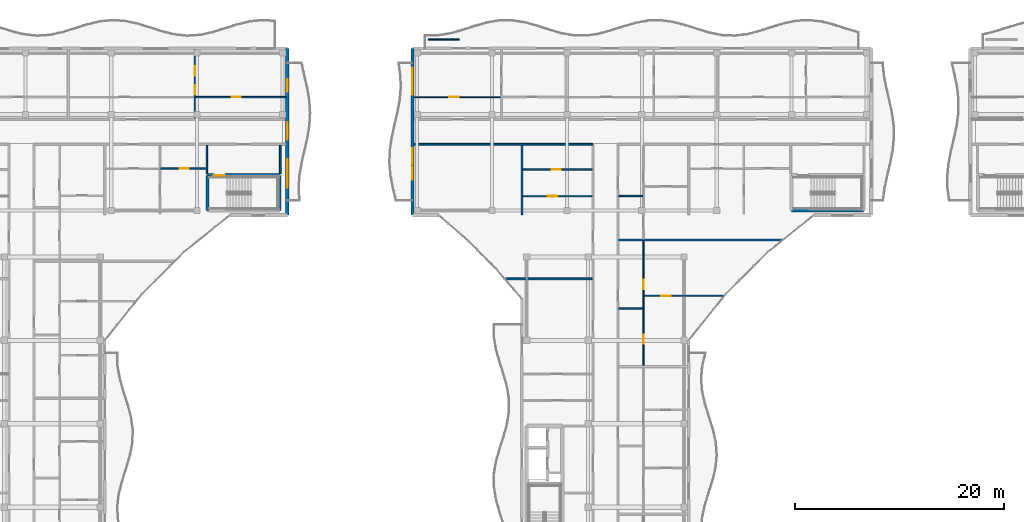
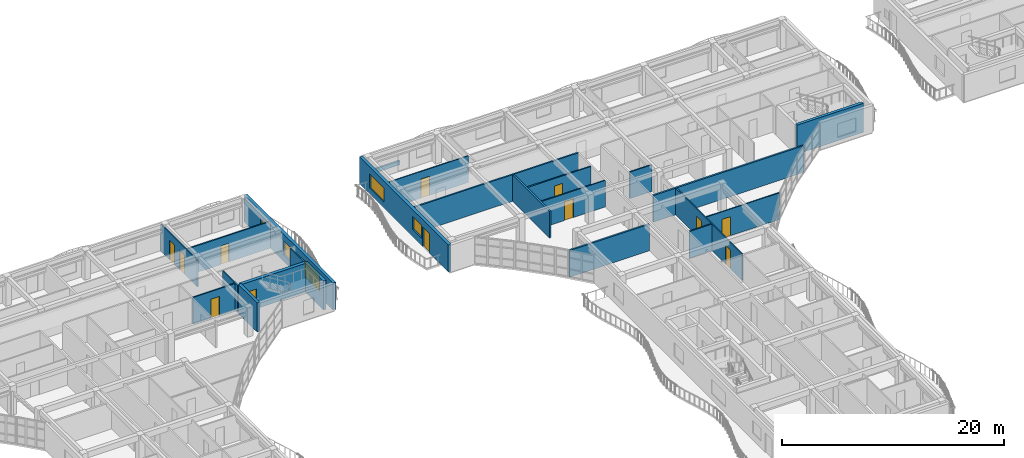
# One storey, part 39 of 72: 23 walls, 13 doors, 4 windows, 17 openings.
"""IFC4 building model written with IfcOpenShell, lengths in metres."""

from ifc_helpers import new_model, si_unit, direction, frame, frame_2d, origin, place, context, subcontext, project, spatial, rectangle, extrude, material, layer, layer_set, type_object, element, fill, save


model = new_model("IFC4")

# Units and contexts
model_context = context("Model", 3, precision=1e-05, world=origin(), true_north=direction((0.0, 1.0)))
body_context = subcontext(model_context, "Body", "Model", "MODEL_VIEW")
ifc_project = project(units=[si_unit("LENGTHUNIT", "METRE"), si_unit("AREAUNIT", "SQUARE_METRE"), si_unit("VOLUMEUNIT", "CUBIC_METRE"), si_unit("PLANEANGLEUNIT", "RADIAN"), si_unit("MASSUNIT", "GRAM", prefix="KILO")], contexts=[model_context])

# Site, building, storey
site_placement = place(None, origin())
site = spatial("IfcSite", under=ifc_project, at=site_placement, CompositionType="ELEMENT")
building_placement = place(site_placement, origin())
building = spatial("IfcBuilding", under=site, at=building_placement, Name="Keldmere Railside Commons", CompositionType="ELEMENT")
storey_placement = place(building_placement, frame((0.0, 0.0, 16.9599609375)))
storey = spatial("IfcBuildingStorey", under=building, at=storey_placement, Name="L05", CompositionType="ELEMENT", Elevation=16.9599609375)

# Walls
ifc_material_1 = material(Name="Acoustic Gypsum Board Partition", Category="gypsum")
ifc_layer_1 = layer(ifc_material_1, 0.179931640625, Name="Acoustic Demising Partition 180")
ifc_layer_set_1 = layer_set([ifc_layer_1], Name="Acoustic Gypsum Board Partition")
wall_type_1 = type_object("IfcWallType", Name="Acoustic Demising Partition 180", PredefinedType="PARTITIONING", material=ifc_layer_set_1)
wall_1_placement = place(storey_placement, frame((104.0, 100.050048828125, 0.0), z_axis=(0.0, 0.0, 1.0), x_axis=(0.0, 1.0, 0.0)))
element("IfcWall", 1, at=wall_1_placement, inside=storey, type_object=wall_type_1, Name="IW-1 IW-L05-1101", PredefinedType="PARTITIONING", context=body_context, shape_type="SweptSolid", body=[
    extrude(rectangle(XDim=6.669921875, YDim=0.179931640625, at=frame_2d((3.3349609375, 0.0))), origin(), (0.0, 0.0, 1.0), 2.93505859375),
])
wall_2_placement = place(storey_placement, frame((113.280029296875, 97.6201171875, 0.0), z_axis=(0.0, 0.0, 1.0), x_axis=(1.0, 0.0, 0.0)))
element("IfcWall", 2, at=wall_2_placement, inside=storey, type_object=wall_type_1, Name="IW-1 IW-L05-1106", PredefinedType="PARTITIONING", context=body_context, shape_type="SweptSolid", body=[
    extrude(rectangle(XDim=15.689453125, YDim=0.179931640625, at=frame_2d((7.8447265625, 0.0))), origin(), (0.0, 0.0, 1.0), 2.93505859375),
])
wall_3_placement = place(storey_placement, frame((102.410888671875, 93.89990234375, 0.0), z_axis=(0.0, 0.0, 1.0), x_axis=(1.0, 0.0, 0.0)))
element("IfcWall", 3, at=wall_3_placement, inside=storey, type_object=wall_type_1, Name="IW-1 IW-L05-1135", PredefinedType="PARTITIONING", context=body_context, shape_type="SweptSolid", body=[
    extrude(rectangle(XDim=8.30908203125, YDim=0.179931640625, at=frame_2d((4.154541015625, 0.0))), origin(), (0.0, 0.0, 1.0), 2.93505859375),
])

# Wall, openings, doors
ifc_layer_2 = layer(ifc_material_1, 0.1201171875, Name="Apartment Interior Partition 120")
ifc_layer_set_2 = layer_set([ifc_layer_2], Name="Acoustic Gypsum Board Partition")
wall_type_2 = type_object("IfcWallType", Name="Apartment Interior Partition 120", PredefinedType="PARTITIONING", material=ifc_layer_set_2)
wall_4_placement = place(storey_placement, frame((72.6201171875, 109.280029296875, 0.0), z_axis=(0.0, 0.0, 1.0), x_axis=(0.0, 1.0, 0.0)))
wall_4 = element("IfcWall", 4, at=wall_4_placement, inside=storey, type_object=wall_type_2, Name="IW-4 IW-L05-0711", PredefinedType="PARTITIONING", context=body_context, shape_type="SweptSolid", body=[
    extrude(rectangle(XDim=6.590087890625, YDim=0.1201171875, at=frame_2d((3.294921875, 0.0))), origin(), (0.0, 0.0, 1.0), 2.93505859375),
])
opening_1_placement = place(wall_4_placement, frame((2.305908203125, 0.0, 0.0)))
opening_1 = element("IfcOpeningElement", 5, at=opening_1_placement, cuts=wall_4, Name="Opening ID-04", PredefinedType="OPENING", context=body_context, shape_type="SweptSolid", body=[
    extrude(rectangle(XDim=0.860107421875, YDim=2.10009765625, at=frame_2d((0.43017578125, 1.050048828125))), frame((0.0, 0.070068359375, 0.0), z_axis=(0.0, -1.0, 0.0), x_axis=(1.0, 0.0, 0.0)), (0.0, 0.0, 1.0), 0.14013671875),
])
opening_2_placement = place(wall_4_placement, frame((4.093017578125, 0.0, 0.0)))
opening_2 = element("IfcOpeningElement", 6, at=opening_2_placement, cuts=wall_4, Name="Opening ID-01", PredefinedType="OPENING", context=body_context, shape_type="SweptSolid", body=[
    extrude(rectangle(XDim=0.89990234375, YDim=2.10009765625, at=frame_2d((0.449951171875, 1.050048828125))), frame((0.0, 0.070068359375, 0.0), z_axis=(0.0, -1.0, 0.0), x_axis=(1.0, 0.0, 0.0)), (0.0, 0.0, 1.0), 0.14013671875),
])
ifc_material_2 = material(Name="Engineered Oak Timber", Category="wood")
door_type_1 = type_object("IfcDoorType", Name="Apartment Bathroom Door 860x2100", OperationType="NOTDEFINED", PredefinedType="DOOR", material=ifc_material_2)
door_1_placement = place(opening_1_placement, origin())
door_1 = element("IfcDoor", 7, at=door_1_placement, inside=storey, type_object=door_type_1, Name="ID-04 IDR-L05-0600", OperationType="SINGLE_SWING_RIGHT", OverallHeight=2.10009765625, OverallWidth=0.860107421875, PredefinedType="DOOR", context=body_context, shape_type="SweptSolid", body=[
    extrude(rectangle(XDim=0.860107421875, YDim=2.10009765625, at=frame_2d((0.43017578125, 1.050048828125))), frame((0.0, 0.02490234375, 0.0), z_axis=(0.0, -1.0, 0.0), x_axis=(1.0, 0.0, 0.0)), (0.0, 0.0, 1.0), 0.050048828125),
])
fill(opening_1, door_1)
door_type_2 = type_object("IfcDoorType", Name="Primary Bedroom Door 900x2100", OperationType="NOTDEFINED", PredefinedType="DOOR", material=ifc_material_2)
door_2_placement = place(opening_2_placement, origin())
door_2 = element("IfcDoor", 8, at=door_2_placement, inside=storey, type_object=door_type_2, Name="ID-01 IDR-L05-0601", OperationType="SINGLE_SWING_LEFT", OverallHeight=2.10009765625, OverallWidth=0.89990234375, PredefinedType="DOOR", context=body_context, shape_type="SweptSolid", body=[
    extrude(rectangle(XDim=0.89990234375, YDim=2.10009765625, at=frame_2d((0.449951171875, 1.050048828125))), frame((0.0, 0.02490234375, 0.0), z_axis=(0.0, -1.0, 0.0), x_axis=(1.0, 0.0, 0.0)), (0.0, 0.0, 1.0), 0.050048828125),
])
fill(opening_2, door_2)

wall_5_placement = place(storey_placement, frame((115.659912109375, 85.570068359375, 0.0), z_axis=(0.0, 0.0, 1.0), x_axis=(0.0, 1.0, 0.0)))
wall_5 = element("IfcWall", 9, at=wall_5_placement, inside=storey, type_object=wall_type_2, Name="IW-4 IW-L05-1115", PredefinedType="PARTITIONING", context=body_context, shape_type="SweptSolid", body=[
    extrude(rectangle(XDim=11.9599609375, YDim=0.1201171875, at=frame_2d((5.97998046875, 0.0))), origin(), (0.0, 0.0, 1.0), 2.93505859375),
])
opening_3_placement = place(wall_5_placement, frame((2.090087890625, 0.0, 0.0)))
opening_3 = element("IfcOpeningElement", 10, at=opening_3_placement, cuts=wall_5, Name="Opening ID-04", PredefinedType="OPENING", context=body_context, shape_type="SweptSolid", body=[
    extrude(rectangle(XDim=0.860107421875, YDim=2.10009765625, at=frame_2d((0.43017578125, 1.050048828125))), frame((0.0, 0.070068359375, 0.0), z_axis=(0.0, -1.0, 0.0), x_axis=(1.0, 0.0, 0.0)), (0.0, 0.0, 1.0), 0.14013671875),
])
opening_4_placement = place(wall_5_placement, frame((7.308837890625, 0.0, 0.0)))
opening_4 = element("IfcOpeningElement", 11, at=opening_4_placement, cuts=wall_5, Name="Opening ID-03", PredefinedType="OPENING", context=body_context, shape_type="SweptSolid", body=[
    extrude(rectangle(XDim=0.919921875, YDim=2.10009765625, at=frame_2d((0.4599609375, 1.050048828125))), frame((0.0, 0.070068359375, 0.0), z_axis=(0.0, -1.0, 0.0), x_axis=(1.0, 0.0, 0.0)), (0.0, 0.0, 1.0), 0.14013671875),
])
door_3_placement = place(opening_3_placement, origin())
door_3 = element("IfcDoor", 12, at=door_3_placement, inside=storey, type_object=door_type_1, Name="ID-04 IDR-L05-0978", OperationType="SINGLE_SWING_RIGHT", OverallHeight=2.10009765625, OverallWidth=0.860107421875, PredefinedType="DOOR", context=body_context, shape_type="SweptSolid", body=[
    extrude(rectangle(XDim=0.860107421875, YDim=2.10009765625, at=frame_2d((0.43017578125, 1.050048828125))), frame((0.0, 0.02490234375, 0.0), z_axis=(0.0, -1.0, 0.0), x_axis=(1.0, 0.0, 0.0)), (0.0, 0.0, 1.0), 0.050048828125),
])
fill(opening_3, door_3)
door_type_3 = type_object("IfcDoorType", Name="Kitchen Pocket-Frame Swing Door 920x2100", OperationType="NOTDEFINED", PredefinedType="DOOR", material=ifc_material_2)
door_4_placement = place(opening_4_placement, origin())
door_4 = element("IfcDoor", 13, at=door_4_placement, inside=storey, type_object=door_type_3, Name="ID-03 IDR-L05-0979", OperationType="SINGLE_SWING_LEFT", OverallHeight=2.10009765625, OverallWidth=0.919921875, PredefinedType="DOOR", context=body_context, shape_type="SweptSolid", body=[
    extrude(rectangle(XDim=0.919921875, YDim=2.10009765625, at=frame_2d((0.4599609375, 1.050048828125))), frame((0.0, 0.02490234375, 0.0), z_axis=(0.0, -1.0, 0.0), x_axis=(1.0, 0.0, 0.0)), (0.0, 0.0, 1.0), 0.050048828125),
])
fill(opening_4, door_4)

# Wall, opening, door
wall_6_placement = place(storey_placement, frame((115.719970703125, 92.27001953125, 0.0), z_axis=(0.0, 0.0, 1.0), x_axis=(1.0, 0.0, 0.0)))
wall_6 = element("IfcWall", 14, at=wall_6_placement, inside=storey, type_object=wall_type_2, Name="IW-4 IW-L05-1117", PredefinedType="PARTITIONING", context=body_context, shape_type="SweptSolid", body=[
    extrude(rectangle(XDim=7.654541015625, YDim=0.1201171875, at=frame_2d((3.8271484375, 0.0))), origin(), (0.0, 0.0, 1.0), 2.93505859375),
])
opening_5_placement = place(wall_6_placement, frame((1.6298828125, 0.0, 0.0)))
opening_5 = element("IfcOpeningElement", 15, at=opening_5_placement, cuts=wall_6, Name="Opening ID-01", PredefinedType="OPENING", context=body_context, shape_type="SweptSolid", body=[
    extrude(rectangle(XDim=0.89990234375, YDim=2.10009765625, at=frame_2d((0.449951171875, 1.050048828125))), frame((0.0, 0.070068359375, 0.0), z_axis=(0.0, -1.0, 0.0), x_axis=(1.0, 0.0, 0.0)), (0.0, 0.0, 1.0), 0.14013671875),
])
door_5_placement = place(opening_5_placement, origin())
door_5 = element("IfcDoor", 16, at=door_5_placement, inside=storey, type_object=door_type_2, Name="ID-01 IDR-L05-0981", OperationType="SINGLE_SWING_LEFT", OverallHeight=2.10009765625, OverallWidth=0.89990234375, PredefinedType="DOOR", context=body_context, shape_type="SweptSolid", body=[
    extrude(rectangle(XDim=0.89990234375, YDim=2.10009765625, at=frame_2d((0.449951171875, 1.050048828125))), frame((0.0, 0.02490234375, 0.0), z_axis=(0.0, -1.0, 0.0), x_axis=(1.0, 0.0, 0.0)), (0.0, 0.0, 1.0), 0.050048828125),
])
fill(opening_5, door_5)

wall_7_placement = place(storey_placement, frame((104.090087890625, 101.820068359375, 0.0), z_axis=(0.0, 0.0, 1.0), x_axis=(1.0, 0.0, 0.0)))
wall_7 = element("IfcWall", 17, at=wall_7_placement, inside=storey, type_object=wall_type_2, Name="IW-4 IW-L05-1138", PredefinedType="PARTITIONING", context=body_context, shape_type="SweptSolid", body=[
    extrude(rectangle(XDim=6.6298828125, YDim=0.1201171875, at=frame_2d((3.31494140625, 0.0))), origin(), (0.0, 0.0, 1.0), 2.93505859375),
])
opening_6_placement = place(wall_7_placement, frame((2.384521484375, 0.0, 0.0)))
opening_6 = element("IfcOpeningElement", 18, at=opening_6_placement, cuts=wall_7, Name="Opening ID-03", PredefinedType="OPENING", context=body_context, shape_type="SweptSolid", body=[
    extrude(rectangle(XDim=0.919921875, YDim=2.10009765625, at=frame_2d((0.4599609375, 1.050048828125))), frame((0.0, 0.070068359375, 0.0), z_axis=(0.0, -1.0, 0.0), x_axis=(1.0, 0.0, 0.0)), (0.0, 0.0, 1.0), 0.14013671875),
])
door_6_placement = place(opening_6_placement, origin())
door_6 = element("IfcDoor", 19, at=door_6_placement, inside=storey, type_object=door_type_3, Name="ID-03 IDR-L05-1010", OperationType="SINGLE_SWING_RIGHT", OverallHeight=2.10009765625, OverallWidth=0.919921875, PredefinedType="DOOR", context=body_context, shape_type="SweptSolid", body=[
    extrude(rectangle(XDim=0.919921875, YDim=2.10009765625, at=frame_2d((0.4599609375, 1.050048828125))), frame((0.0, 0.02490234375, 0.0), z_axis=(0.0, -1.0, 0.0), x_axis=(1.0, 0.0, 0.0)), (0.0, 0.0, 1.0), 0.050048828125),
])
fill(opening_6, door_6)

# Wall
ifc_material_3 = material(Name="White Precast Concrete H-35 (C35/45)", Category="concrete")
ifc_layer_3 = layer(ifc_material_3, 0.169921875, Name="Balcony Planter Kerb Wall 170")
ifc_layer_set_3 = layer_set([ifc_layer_3], Name="White Precast Concrete H-35 (C35/45)")
wall_type_3 = type_object("IfcWallType", Name="Balcony Planter Kerb Wall 170", PredefinedType="PARAPET", material=ifc_layer_set_3)
wall_8_placement = place(storey_placement, frame((95.0, 116.85009765625, 0.0), z_axis=(0.0, 0.0, 1.0), x_axis=(1.0, 0.0, 0.0)))
element("IfcWall", 20, at=wall_8_placement, inside=storey, type_object=wall_type_3, Name="PW-2 PKBB-L05-0628", PredefinedType="PARAPET", context=body_context, shape_type="SweptSolid", body=[
    extrude(rectangle(XDim=3.0, YDim=0.169921875, at=frame_2d((1.5, 0.0))), origin(), (0.0, 0.0, 1.0), 0.449951171875),
])

# Wall, opening, door
ifc_layer_4 = layer(ifc_material_1, 0.10009765625, Name="Closet Light Partition 100")
ifc_layer_set_4 = layer_set([ifc_layer_4], Name="Acoustic Gypsum Board Partition")
wall_type_4 = type_object("IfcWallType", Name="Closet Light Partition 100", PredefinedType="PARTITIONING", material=ifc_layer_set_4)
wall_9_placement = place(storey_placement, frame((93.659912109375, 111.330078125, 0.0), z_axis=(0.0, 0.0, 1.0), x_axis=(1.0, 0.0, 0.0)))
wall_9 = element("IfcWall", 21, at=wall_9_placement, inside=storey, type_object=wall_type_4, Name="IW-6 IW-L05-1125", PredefinedType="PARTITIONING", context=body_context, shape_type="SweptSolid", body=[
    extrude(rectangle(XDim=8.330078125, YDim=0.10009765625, at=frame_2d((4.1650390625, 0.0))), origin(), (0.0, 0.0, 1.0), 2.93505859375),
])
opening_7_placement = place(wall_9_placement, frame((3.35595703125, 0.0, 0.0)))
opening_7 = element("IfcOpeningElement", 22, at=opening_7_placement, cuts=wall_9, Name="Opening ID-03", PredefinedType="OPENING", context=body_context, shape_type="SweptSolid", body=[
    extrude(rectangle(XDim=0.919921875, YDim=2.10009765625, at=frame_2d((0.4599609375, 1.050048828125))), frame((0.0, 0.06005859375, 0.0), z_axis=(0.0, -1.0, 0.0), x_axis=(1.0, 0.0, 0.0)), (0.0, 0.0, 1.0), 0.1201171875),
])
door_7_placement = place(opening_7_placement, origin())
door_7 = element("IfcDoor", 23, at=door_7_placement, inside=storey, type_object=door_type_3, Name="ID-03 IDR-L05-0987", OperationType="SINGLE_SWING_LEFT", OverallHeight=2.10009765625, OverallWidth=0.919921875, PredefinedType="DOOR", context=body_context, shape_type="SweptSolid", body=[
    extrude(rectangle(XDim=0.919921875, YDim=2.10009765625, at=frame_2d((0.4599609375, 1.050048828125))), frame((0.0, 0.02490234375, 0.0), z_axis=(0.0, -1.0, 0.0), x_axis=(1.0, 0.0, 0.0)), (0.0, 0.0, 1.0), 0.050048828125),
])
fill(opening_7, door_7)

# Wall
ifc_layer_5 = layer(ifc_material_1, 0.159912109375, Name="Corridor Fire Partition 160")
ifc_layer_set_5 = layer_set([ifc_layer_5], Name="Acoustic Gypsum Board Partition")
wall_type_5 = type_object("IfcWallType", Name="Corridor Fire Partition 160", PredefinedType="PARTITIONING", material=ifc_layer_set_5)
wall_10_placement = place(storey_placement, frame((93.659912109375, 106.800048828125, 0.0), z_axis=(0.0, 0.0, 1.0), x_axis=(1.0, 0.0, 0.0)))
element("IfcWall", 24, at=wall_10_placement, inside=storey, type_object=wall_type_5, Name="IW-2 IW-L05-1097", PredefinedType="PARTITIONING", context=body_context, shape_type="SweptSolid", body=[
    extrude(rectangle(XDim=17.14013671875, YDim=0.159912109375, at=frame_2d((8.570068359375, 0.0))), origin(), (0.0, 0.0, 1.0), 2.93505859375),
])

# Wall, openings, door, windows
ifc_material_4 = material(Name="Concrete H-35 (C35/45)", Category="concrete")
ifc_layer_6 = layer(ifc_material_4, 0.320068359375, Name="Exterior Shear Wall 320")
ifc_layer_set_6 = layer_set([ifc_layer_6], Name="Concrete H-35 (C35/45)")
wall_type_6 = type_object("IfcWallType", Name="Exterior Shear Wall 320", PredefinedType="SHEAR", material=ifc_layer_set_6)
wall_11_placement = place(storey_placement, frame((81.5, 116.0, 0.0), z_axis=(0.0, 0.0, 1.0), x_axis=(0.0, -1.0, 0.0)))
wall_11 = element("IfcWall", 25, at=wall_11_placement, inside=storey, type_object=wall_type_6, Name="ESW-2 EXTC-L05-0365", PredefinedType="SHEAR", context=body_context, shape_type="SweptSolid", body=[
    extrude(rectangle(XDim=16.0, YDim=0.320068359375, at=frame_2d((8.0, 0.0))), origin(), (0.0, 0.0, 1.0), 2.97998046875),
])
opening_8_placement = place(wall_11_placement, frame((2.949951171875, 0.0, 0.0)))
opening_8 = element("IfcOpeningElement", 26, at=opening_8_placement, cuts=wall_11, Name="Opening BD-01", PredefinedType="OPENING", context=body_context, shape_type="SweptSolid", body=[
    extrude(rectangle(XDim=1.199951171875, YDim=2.199951171875, at=frame_2d((0.60009765625, 1.10009765625))), frame((0.0, 0.169921875, 0.0), z_axis=(0.0, -1.0, 0.0), x_axis=(1.0, 0.0, 0.0)), (0.0, 0.0, 1.0), 0.340087890625),
])
opening_9_placement = place(wall_11_placement, frame((7.10009765625, 0.0, 0.719970703125)))
opening_9 = element("IfcOpeningElement", 27, at=opening_9_placement, cuts=wall_11, Name="Opening WN-40", PredefinedType="OPENING", context=body_context, shape_type="SweptSolid", body=[
    extrude(rectangle(XDim=1.679931640625, YDim=1.5, at=frame_2d((0.83984375, 0.75))), frame((0.0, 0.169921875, 0.0), z_axis=(0.0, -1.0, 0.0), x_axis=(1.0, 0.0, 0.0)), (0.0, 0.0, 1.0), 0.340087890625),
])
opening_10_placement = place(wall_11_placement, frame((10.64990234375, 0.0, 0.469970703125)))
opening_10 = element("IfcOpeningElement", 28, at=opening_10_placement, cuts=wall_11, Name="Opening WN-19", PredefinedType="OPENING", context=body_context, shape_type="SweptSolid", body=[
    extrude(rectangle(XDim=2.699951171875, YDim=1.75, at=frame_2d((1.35009765625, 0.875))), frame((0.0, 0.169921875, 0.0), z_axis=(0.0, -1.0, 0.0), x_axis=(1.0, 0.0, 0.0)), (0.0, 0.0, 1.0), 0.340087890625),
])
ifc_material_5 = material(Name="Thermally Broken Aluminium", Category="aluminium")
door_type_4 = type_object("IfcDoorType", Name="Apartment Living Wave-Balcony Glazed Door 1200x2200", OperationType="NOTDEFINED", PredefinedType="DOOR", material=ifc_material_5)
door_8_placement = place(opening_8_placement, origin())
door_8 = element("IfcDoor", 29, at=door_8_placement, inside=storey, type_object=door_type_4, Name="BD-01 DR-L05-0087", OperationType="SINGLE_SWING_LEFT", OverallHeight=2.199951171875, OverallWidth=1.199951171875, PredefinedType="DOOR", context=body_context, shape_type="SweptSolid", body=[
    extrude(rectangle(XDim=1.199951171875, YDim=2.199951171875, at=frame_2d((0.60009765625, 1.10009765625))), frame((0.0, 0.02490234375, 0.0), z_axis=(0.0, -1.0, 0.0), x_axis=(1.0, 0.0, 0.0)), (0.0, 0.0, 1.0), 0.050048828125),
])
fill(opening_8, door_8)
ifc_material_6 = material(Name="Low-E Insulated Double Glazing", Category="glass")
window_type_1 = type_object("IfcWindowType", Name="Resident Lounge Panorama Window 2700x1750", PartitioningType="SINGLE_PANEL", PredefinedType="WINDOW", material=ifc_material_6)
window_1_placement = place(opening_10_placement, origin())
window_1 = element("IfcWindow", 30, at=window_1_placement, inside=storey, type_object=window_type_1, Name="WN-19 WIN-L05-0256", OverallHeight=1.75, OverallWidth=2.699951171875, PartitioningType="SINGLE_PANEL", PredefinedType="WINDOW", context=body_context, shape_type="SweptSolid", body=[
    extrude(rectangle(XDim=2.699951171875, YDim=1.75, at=frame_2d((1.35009765625, 0.875))), frame((0.0, 0.030029296875, 0.0), z_axis=(0.0, -1.0, 0.0), x_axis=(1.0, 0.0, 0.0)), (0.0, 0.0, 1.0), 0.06005859375),
])
fill(opening_10, window_1)
window_type_2 = type_object("IfcWindowType", Name="Two-Bed Dining Casement Window 1680x1500", PartitioningType="SINGLE_PANEL", PredefinedType="WINDOW", material=ifc_material_6)
window_2_placement = place(opening_9_placement, origin())
window_2 = element("IfcWindow", 31, at=window_2_placement, inside=storey, type_object=window_type_2, Name="WN-40 WIN-L05-0255", OverallHeight=1.5, OverallWidth=1.679931640625, PartitioningType="SINGLE_PANEL", PredefinedType="WINDOW", context=body_context, shape_type="SweptSolid", body=[
    extrude(rectangle(XDim=1.679931640625, YDim=1.5, at=frame_2d((0.83984375, 0.75))), frame((0.0, 0.030029296875, 0.0), z_axis=(0.0, -1.0, 0.0), x_axis=(1.0, 0.0, 0.0)), (0.0, 0.0, 1.0), 0.06005859375),
])
fill(opening_9, window_2)

wall_12_placement = place(storey_placement, frame((93.5, 100.0, 0.0), z_axis=(0.0, 0.0, 1.0), x_axis=(0.0, 1.0, 0.0)))
wall_12 = element("IfcWall", 32, at=wall_12_placement, inside=storey, type_object=wall_type_6, Name="ESW-2 EXTB-L05-0625", PredefinedType="SHEAR", context=body_context, shape_type="SweptSolid", body=[
    extrude(rectangle(XDim=16.0, YDim=0.320068359375, at=frame_2d((8.0, 0.0))), origin(), (0.0, 0.0, 1.0), 2.97998046875),
])
opening_11_placement = place(wall_12_placement, frame((3.39990234375, 0.0, 0.0)))
opening_11 = element("IfcOpeningElement", 33, at=opening_11_placement, cuts=wall_12, Name="Opening BD-01", PredefinedType="OPENING", context=body_context, shape_type="SweptSolid", body=[
    extrude(rectangle(XDim=1.199951171875, YDim=2.199951171875, at=frame_2d((0.60009765625, 1.10009765625))), frame((0.0, 0.169921875, 0.0), z_axis=(0.0, -1.0, 0.0), x_axis=(1.0, 0.0, 0.0)), (0.0, 0.0, 1.0), 0.340087890625),
])
opening_12_placement = place(wall_12_placement, frame((4.85009765625, 0.0, 0.820068359375)))
opening_12 = element("IfcOpeningElement", 34, at=opening_12_placement, cuts=wall_12, Name="Opening WN-07", PredefinedType="OPENING", context=body_context, shape_type="SweptSolid", body=[
    extrude(rectangle(XDim=1.550048828125, YDim=1.39990234375, at=frame_2d((0.77490234375, 0.699951171875))), frame((0.0, 0.169921875, 0.0), z_axis=(0.0, -1.0, 0.0), x_axis=(1.0, 0.0, 0.0)), (0.0, 0.0, 1.0), 0.340087890625),
])
opening_13_placement = place(wall_12_placement, frame((11.550048828125, 0.0, 0.669921875)))
opening_13 = element("IfcOpeningElement", 35, at=opening_13_placement, cuts=wall_12, Name="Opening WN-39", PredefinedType="OPENING", context=body_context, shape_type="SweptSolid", body=[
    extrude(rectangle(XDim=2.60009765625, YDim=1.550048828125, at=frame_2d((1.300048828125, 0.77490234375))), frame((0.0, 0.169921875, 0.0), z_axis=(0.0, -1.0, 0.0), x_axis=(1.0, 0.0, 0.0)), (0.0, 0.0, 1.0), 0.340087890625),
])
door_9_placement = place(opening_11_placement, origin())
door_9 = element("IfcDoor", 36, at=door_9_placement, inside=storey, type_object=door_type_4, Name="BD-01 DR-L05-0166", OperationType="SINGLE_SWING_RIGHT", OverallHeight=2.199951171875, OverallWidth=1.199951171875, PredefinedType="DOOR", context=body_context, shape_type="SweptSolid", body=[
    extrude(rectangle(XDim=1.199951171875, YDim=2.199951171875, at=frame_2d((0.60009765625, 1.10009765625))), frame((0.0, 0.02490234375, 0.0), z_axis=(0.0, -1.0, 0.0), x_axis=(1.0, 0.0, 0.0)), (0.0, 0.0, 1.0), 0.050048828125),
])
fill(opening_11, door_9)
window_type_3 = type_object("IfcWindowType", Name="Primary Bedroom South Window 1550x1400", PartitioningType="SINGLE_PANEL", PredefinedType="WINDOW", material=ifc_material_6)
window_3_placement = place(opening_12_placement, origin())
window_3 = element("IfcWindow", 37, at=window_3_placement, inside=storey, type_object=window_type_3, Name="WN-07 WIN-L05-0448", OverallHeight=1.39990234375, OverallWidth=1.550048828125, PartitioningType="SINGLE_PANEL", PredefinedType="WINDOW", context=body_context, shape_type="SweptSolid", body=[
    extrude(rectangle(XDim=1.550048828125, YDim=1.39990234375, at=frame_2d((0.77490234375, 0.699951171875))), frame((0.0, 0.030029296875, 0.0), z_axis=(0.0, -1.0, 0.0), x_axis=(1.0, 0.0, 0.0)), (0.0, 0.0, 1.0), 0.06005859375),
])
fill(opening_12, window_3)
window_type_4 = type_object("IfcWindowType", Name="Three-Bed Corner Living Window 2600x1550", PartitioningType="SINGLE_PANEL", PredefinedType="WINDOW", material=ifc_material_6)
window_4_placement = place(opening_13_placement, origin())
window_4 = element("IfcWindow", 38, at=window_4_placement, inside=storey, type_object=window_type_4, Name="WN-39 WIN-L05-0449", OverallHeight=1.550048828125, OverallWidth=2.60009765625, PartitioningType="SINGLE_PANEL", PredefinedType="WINDOW", context=body_context, shape_type="SweptSolid", body=[
    extrude(rectangle(XDim=2.60009765625, YDim=1.550048828125, at=frame_2d((1.300048828125, 0.77490234375))), frame((0.0, 0.030029296875, 0.0), z_axis=(0.0, -1.0, 0.0), x_axis=(1.0, 0.0, 0.0)), (0.0, 0.0, 1.0), 0.06005859375),
])
fill(opening_13, window_4)

# Walls
ifc_layer_7 = layer(ifc_material_4, 0.300048828125, Name="Interior Shear Wall 300")
ifc_layer_set_7 = layer_set([ifc_layer_7], Name="Concrete H-35 (C35/45)")
wall_type_7 = type_object("IfcWallType", Name="Interior Shear Wall 300", PredefinedType="SHEAR", material=ifc_layer_set_7)
for number, where, z_axis, x_axis, name in (
    (39, (73.85009765625, 103.820068359375, 0.0), (0.0, 0.0, 1.0), (0.0, -1.0, 0.0), "ISW-2 COREC2W-L05-0268"),
    (40, (80.75, 100.449951171875, 0.0), (0.0, 0.0, 1.0), (0.0, 1.0, 0.0), "ISW-2 COREC2E-L05-0269"),
):
    element("IfcWall", number, at=place(storey_placement, frame(where, z_axis=z_axis, x_axis=x_axis)), inside=storey, type_object=wall_type_7, Name=name, PredefinedType="SHEAR", context=body_context, shape_type="SweptSolid", body=[
        extrude(rectangle(XDim=3.3701171875, YDim=0.300048828125, at=frame_2d((1.68505859375, 0.0))), origin(), (0.0, 0.0, 1.0), 3.199951171875),
    ])
wall_13_placement = place(storey_placement, frame((129.85009765625, 100.449951171875, 0.0), z_axis=(0.0, 0.0, 1.0), x_axis=(1.0, 0.0, 0.0)))
element("IfcWall", 41, at=wall_13_placement, inside=storey, type_object=wall_type_7, Name="ISW-2 COREB2S-L05-0500", PredefinedType="SHEAR", context=body_context, shape_type="SweptSolid", body=[
    extrude(rectangle(XDim=6.89990234375, YDim=0.300048828125, at=frame_2d((3.449951171875, 0.0))), origin(), (0.0, 0.0, 1.0), 3.199951171875),
])

# Wall, opening, door
ifc_layer_8 = layer(ifc_material_4, 0.340087890625, Name="Interior Shear Wall 340")
ifc_layer_set_8 = layer_set([ifc_layer_8], Name="Concrete H-35 (C35/45)")
wall_type_8 = type_object("IfcWallType", Name="Interior Shear Wall 340", PredefinedType="SHEAR", material=ifc_layer_set_8)
wall_14_placement = place(storey_placement, frame((80.75, 103.820068359375, 0.0), z_axis=(0.0, 0.0, 1.0), x_axis=(-1.0, 0.0, 0.0)))
wall_14 = element("IfcWall", 42, at=wall_14_placement, inside=storey, type_object=wall_type_8, Name="ISW-1 COREC2N-L05-0267", PredefinedType="SHEAR", context=body_context, shape_type="SweptSolid", body=[
    extrude(rectangle(XDim=6.89990234375, YDim=0.340087890625, at=frame_2d((3.449951171875, 0.0))), origin(), (0.0, 0.0, 1.0), 3.199951171875),
])
opening_14_placement = place(wall_14_placement, frame((5.25, 0.0, 0.0)))
opening_14 = element("IfcOpeningElement", 43, at=opening_14_placement, cuts=wall_14, Name="Opening FD-1", PredefinedType="OPENING", context=body_context, shape_type="SweptSolid", body=[
    extrude(rectangle(XDim=1.050048828125, YDim=2.14990234375, at=frame_2d((0.52490234375, 1.074951171875))), frame((0.0, 0.179931640625, 0.0), z_axis=(0.0, -1.0, 0.0), x_axis=(1.0, 0.0, 0.0)), (0.0, 0.0, 1.0), 0.360107421875),
])
ifc_material_7 = material(Name="Steel F-24 (S235)", Category="steel")
door_type_5 = type_object("IfcDoorType", Name="Stair Core Fire Door 1050x2150", OperationType="NOTDEFINED", PredefinedType="DOOR", material=ifc_material_7)
door_10_placement = place(opening_14_placement, origin())
door_10 = element("IfcDoor", 44, at=door_10_placement, inside=storey, type_object=door_type_5, Name="FD-1 C2 L05", OperationType="SINGLE_SWING_RIGHT", OverallHeight=2.14990234375, OverallWidth=1.050048828125, PredefinedType="DOOR", context=body_context, shape_type="SweptSolid", body=[
    extrude(rectangle(XDim=1.050048828125, YDim=2.14990234375, at=frame_2d((0.52490234375, 1.074951171875))), frame((0.0, 0.02490234375, 0.0), z_axis=(0.0, -1.0, 0.0), x_axis=(1.0, 0.0, 0.0)), (0.0, 0.0, 1.0), 0.050048828125),
])
fill(opening_14, door_10)

# Walls
ifc_layer_9 = layer(ifc_material_1, 0.14990234375, Name="Lobby Rated Partition 150")
ifc_layer_set_9 = layer_set([ifc_layer_9], Name="Acoustic Gypsum Board Partition")
wall_type_9 = type_object("IfcWallType", Name="Lobby Rated Partition 150", PredefinedType="PARTITIONING", material=ifc_layer_set_9)
for number, where, z_axis, x_axis, name in (
    (45, (73.780029296875, 103.989990234375, 0.0), (0.0, 0.0, 1.0), (0.0, 1.0, 0.0), "IW-3 IW-L05-0691"),
    (46, (80.820068359375, 103.989990234375, 0.0), (0.0, 0.0, 1.0), (0.0, 1.0, 0.0), "IW-3 IW-L05-0692"),
):
    element("IfcWall", number, at=place(storey_placement, frame(where, z_axis=z_axis, x_axis=x_axis)), inside=storey, type_object=wall_type_9, Name=name, PredefinedType="PARTITIONING", context=body_context, shape_type="SweptSolid", body=[
        extrude(rectangle(XDim=2.72998046875, YDim=0.14990234375, at=frame_2d((1.364990234375, 0.0))), origin(), (0.0, 0.0, 1.0), 2.93505859375),
    ])

# Wall, opening, door
ifc_layer_10 = layer(ifc_material_1, 0.139892578125, Name="Wet-Room Sanitary Partition 140")
ifc_layer_set_10 = layer_set([ifc_layer_10], Name="Acoustic Gypsum Board Partition")
wall_type_10 = type_object("IfcWallType", Name="Wet-Room Sanitary Partition 140", PredefinedType="PARTITIONING", material=ifc_layer_set_10)
wall_15_placement = place(storey_placement, frame((72.679931640625, 111.330078125, 0.0), z_axis=(0.0, 0.0, 1.0), x_axis=(1.0, 0.0, 0.0)))
wall_15 = element("IfcWall", 47, at=wall_15_placement, inside=storey, type_object=wall_type_10, Name="IW-5 IW-L05-0712", PredefinedType="PARTITIONING", context=body_context, shape_type="SweptSolid", body=[
    extrude(rectangle(XDim=8.66015625, YDim=0.139892578125, at=frame_2d((4.330078125, 0.0))), origin(), (0.0, 0.0, 1.0), 2.93505859375),
])
opening_15_placement = place(wall_15_placement, frame((3.488037109375, 0.0, 0.0)))
opening_15 = element("IfcOpeningElement", 48, at=opening_15_placement, cuts=wall_15, Name="Opening ID-06", PredefinedType="OPENING", context=body_context, shape_type="SweptSolid", body=[
    extrude(rectangle(XDim=0.85009765625, YDim=2.050048828125, at=frame_2d((0.425048828125, 1.02490234375))), frame((0.0, 0.079833984375, 0.0), z_axis=(0.0, -1.0, 0.0), x_axis=(1.0, 0.0, 0.0)), (0.0, 0.0, 1.0), 0.159912109375),
])
door_type_6 = type_object("IfcDoorType", Name="Storage Closet Door 850x2050", OperationType="NOTDEFINED", PredefinedType="DOOR", material=ifc_material_2)
door_11_placement = place(opening_15_placement, origin())
door_11 = element("IfcDoor", 49, at=door_11_placement, inside=storey, type_object=door_type_6, Name="ID-06 IDR-L05-0602", OperationType="SINGLE_SWING_RIGHT", OverallHeight=2.050048828125, OverallWidth=0.85009765625, PredefinedType="DOOR", context=body_context, shape_type="SweptSolid", body=[
    extrude(rectangle(XDim=0.85009765625, YDim=2.050048828125, at=frame_2d((0.425048828125, 1.02490234375))), frame((0.0, 0.02490234375, 0.0), z_axis=(0.0, -1.0, 0.0), x_axis=(1.0, 0.0, 0.0)), (0.0, 0.0, 1.0), 0.050048828125),
])
fill(opening_15, door_11)

wall_16_placement = place(storey_placement, frame((69.340087890625, 104.469970703125, 0.0), z_axis=(0.0, 0.0, 1.0), x_axis=(1.0, 0.0, 0.0)))
wall_16 = element("IfcWall", 50, at=wall_16_placement, inside=storey, type_object=wall_type_10, Name="IW-5 IW-L05-0715", PredefinedType="PARTITIONING", context=body_context, shape_type="SweptSolid", body=[
    extrude(rectangle(XDim=4.35986328125, YDim=0.139892578125, at=frame_2d((2.179931640625, 0.0))), origin(), (0.0, 0.0, 1.0), 2.93505859375),
])
opening_16_placement = place(wall_16_placement, frame((1.8564453125, 0.0, 0.0)))
opening_16 = element("IfcOpeningElement", 51, at=opening_16_placement, cuts=wall_16, Name="Opening ID-04", PredefinedType="OPENING", context=body_context, shape_type="SweptSolid", body=[
    extrude(rectangle(XDim=0.860107421875, YDim=2.10009765625, at=frame_2d((0.43017578125, 1.050048828125))), frame((0.0, 0.079833984375, 0.0), z_axis=(0.0, -1.0, 0.0), x_axis=(1.0, 0.0, 0.0)), (0.0, 0.0, 1.0), 0.159912109375),
])
door_12_placement = place(opening_16_placement, origin())
door_12 = element("IfcDoor", 52, at=door_12_placement, inside=storey, type_object=door_type_1, Name="ID-04 IDR-L05-0606", OperationType="SINGLE_SWING_RIGHT", OverallHeight=2.10009765625, OverallWidth=0.860107421875, PredefinedType="DOOR", context=body_context, shape_type="SweptSolid", body=[
    extrude(rectangle(XDim=0.860107421875, YDim=2.10009765625, at=frame_2d((0.43017578125, 1.050048828125))), frame((0.0, 0.02490234375, 0.0), z_axis=(0.0, -1.0, 0.0), x_axis=(1.0, 0.0, 0.0)), (0.0, 0.0, 1.0), 0.050048828125),
])
fill(opening_16, door_12)

# Walls
for number, where, z_axis, x_axis, name in (
    (53, (113.280029296875, 91.070068359375, 0.0), (0.0, 0.0, 1.0), (1.0, 0.0, 0.0), "IW-5 IW-L05-1116"),
    (54, (113.280029296875, 101.85009765625, 0.0), (0.0, 0.0, 1.0), (1.0, 0.0, 0.0), "IW-5 IW-L05-1119"),
):
    element("IfcWall", number, at=place(storey_placement, frame(where, z_axis=z_axis, x_axis=x_axis)), inside=storey, type_object=wall_type_10, Name=name, PredefinedType="PARTITIONING", context=body_context, shape_type="SweptSolid", body=[
        extrude(rectangle(XDim=2.320068359375, YDim=0.139892578125, at=frame_2d((1.16015625, 0.0))), origin(), (0.0, 0.0, 1.0), 2.93505859375),
    ])

# Wall, opening, door
wall_17_placement = place(storey_placement, frame((104.090087890625, 104.3701171875, 0.0), z_axis=(0.0, 0.0, 1.0), x_axis=(1.0, 0.0, 0.0)))
wall_17 = element("IfcWall", 55, at=wall_17_placement, inside=storey, type_object=wall_type_10, Name="IW-5 IW-L05-1139", PredefinedType="PARTITIONING", context=body_context, shape_type="SweptSolid", body=[
    extrude(rectangle(XDim=6.6298828125, YDim=0.139892578125, at=frame_2d((3.31494140625, 0.0))), origin(), (0.0, 0.0, 1.0), 2.93505859375),
])
opening_17_placement = place(wall_17_placement, frame((2.78466796875, 0.0, 0.0)))
opening_17 = element("IfcOpeningElement", 56, at=opening_17_placement, cuts=wall_17, Name="Opening ID-04", PredefinedType="OPENING", context=body_context, shape_type="SweptSolid", body=[
    extrude(rectangle(XDim=0.860107421875, YDim=2.10009765625, at=frame_2d((0.43017578125, 1.050048828125))), frame((0.0, 0.079833984375, 0.0), z_axis=(0.0, -1.0, 0.0), x_axis=(1.0, 0.0, 0.0)), (0.0, 0.0, 1.0), 0.159912109375),
])
door_13_placement = place(opening_17_placement, origin())
door_13 = element("IfcDoor", 57, at=door_13_placement, inside=storey, type_object=door_type_1, Name="ID-04 IDR-L05-1009", OperationType="SINGLE_SWING_LEFT", OverallHeight=2.10009765625, OverallWidth=0.860107421875, PredefinedType="DOOR", context=body_context, shape_type="SweptSolid", body=[
    extrude(rectangle(XDim=0.860107421875, YDim=2.10009765625, at=frame_2d((0.43017578125, 1.050048828125))), frame((0.0, 0.02490234375, 0.0), z_axis=(0.0, -1.0, 0.0), x_axis=(1.0, 0.0, 0.0)), (0.0, 0.0, 1.0), 0.050048828125),
])
fill(opening_17, door_13)

save(model, "model.ifc")
